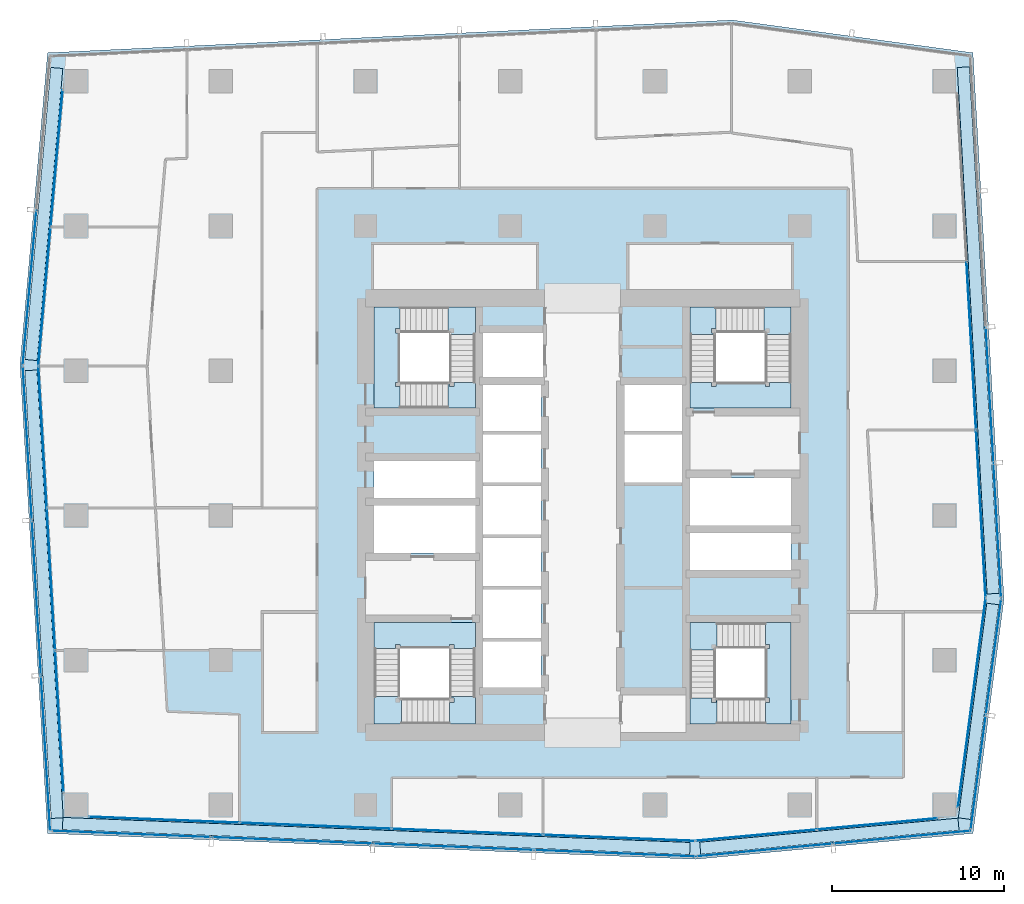
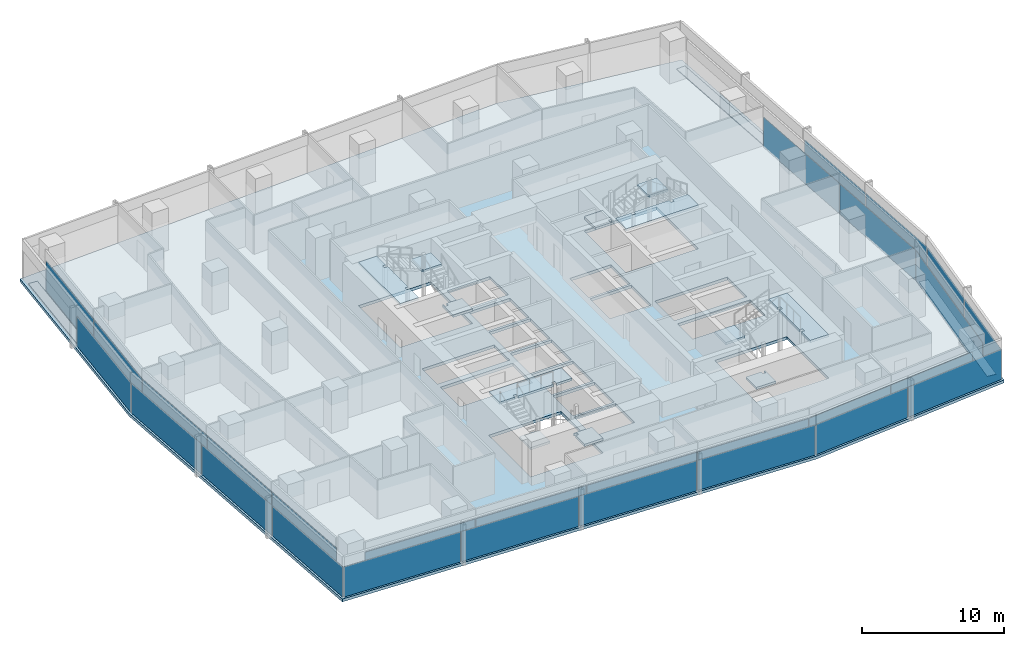
# One storey, part 26 of 39: 34 plates, 13 slabs, 16 elements without a shape of their own.
"""IFC4 building model written with IfcOpenShell, lengths in metres."""

import ifcopenshell
import ifcopenshell.guid

model = None  # the IFC model being written
_history = None  # IfcOwnerHistory: only IFC2X3 demands one
_inside = {}  # id of a spatial element -> (the spatial element, [elements in it])
_under = {}  # id of a project, library or spatial element -> (it, [spatial elements below it])
_declared = {}  # id of a project -> (the project, [libraries it declares])
_typed = {}  # id of a type object -> (the type object, [elements of that type])
_made_of = {}  # id of a material, layer set ... -> (it, [elements and type objects made of it])


def new_model(schema):
    """Start an empty IFC model of exactly this schema.

    Asked for "IFC4X3", IfcOpenShell would pick the latest addendum, in which some entities
    have other attributes; the version numbers below select the first issue.
    IFC2X3 requires an IfcOwnerHistory on every rooted entity: one is made here for all.
    """
    global model, _history
    if schema == "IFC4X3":
        model = ifcopenshell.file(schema_version=(4, 3, 0, 0))
    else:
        model = ifcopenshell.file(schema=schema)
    _inside.clear()
    _under.clear()
    _declared.clear()
    _typed.clear()
    _made_of.clear()
    _history = None
    if model.schema == "IFC2X3":
        org = make("IfcOrganization", Name="unknown")
        user = make(
            "IfcPersonAndOrganization",
            ThePerson=make("IfcPerson", FamilyName="unknown"),
            TheOrganization=org,
        )
        app = make(
            "IfcApplication",
            ApplicationDeveloper=org,
            Version="unknown",
            ApplicationFullName="unknown",
            ApplicationIdentifier="unknown",
        )
        _history = make(
            "IfcOwnerHistory",
            OwningUser=user,
            OwningApplication=app,
            ChangeAction="ADDED",
            CreationDate=0,
        )
    return model


def make(cls, **values):
    """One entity of the class cls with the attributes given. An attribute that is None is left unset."""
    return model.create_entity(
        cls, **{name: value for name, value in values.items() if value is not None}
    )


def rooted(cls, **values):
    """An entity with a GlobalId (a new one), such as an element, a storey or a relation."""
    return make(cls, GlobalId=ifcopenshell.guid.new(), OwnerHistory=_history, **values)


def si_unit(unit_type, name, prefix=None):
    """IfcSIUnit, for example si_unit("LENGTHUNIT", "METRE", prefix="MILLI")."""
    return make("IfcSIUnit", UnitType=unit_type, Prefix=prefix, Name=name)


def assignment(units):
    """IfcUnitAssignment: the units of a project."""
    return None if units is None else make("IfcUnitAssignment", Units=units)


def point(xyz):
    """IfcCartesianPoint."""
    return None if xyz is None else make("IfcCartesianPoint", Coordinates=xyz)


def direction(xyz):
    """IfcDirection."""
    return None if xyz is None else make("IfcDirection", DirectionRatios=xyz)


def frame(location, z_axis=None, x_axis=None):
    """IfcAxis2Placement3D, a coordinate frame: its origin and axes. An axis left out is left unset."""
    return make(
        "IfcAxis2Placement3D",
        Location=point(location),
        Axis=direction(z_axis),
        RefDirection=direction(x_axis),
    )


def frame_2d(location, x_axis=None):
    """IfcAxis2Placement2D, a coordinate frame in the plane: its origin and x axis."""
    return make(
        "IfcAxis2Placement2D", Location=point(location), RefDirection=direction(x_axis)
    )


def origin():
    """The frame at (0, 0, 0) with its axes left unset."""
    return frame((0.0, 0.0, 0.0))


def origin_2d():
    """The frame at (0, 0) in the plane with its x axis left unset."""
    return frame_2d((0.0, 0.0))


def place(relative_to, where):
    """IfcLocalPlacement: puts the frame where relative to a parent placement (None: the world)."""
    return make(
        "IfcLocalPlacement", PlacementRelTo=relative_to, RelativePlacement=where
    )


def context(
    kind, dimensions, precision=None, world=None, true_north=None, identifier=None
):
    """IfcGeometricRepresentationContext, for example the 3D "Model" context."""
    return make(
        "IfcGeometricRepresentationContext",
        ContextIdentifier=identifier,
        ContextType=kind,
        CoordinateSpaceDimension=dimensions,
        Precision=precision,
        WorldCoordinateSystem=world,
        TrueNorth=true_north,
    )


def subcontext(parent, identifier, kind, view, scale=None):
    """IfcGeometricRepresentationSubContext, for example "Body" below "Model"."""
    return make(
        "IfcGeometricRepresentationSubContext",
        ContextIdentifier=identifier,
        ContextType=kind,
        ParentContext=parent,
        TargetScale=scale,
        TargetView=view,
    )


def project(units=None, contexts=None):
    """IfcProject with its units and contexts."""
    return rooted(
        "IfcProject",
        Name="project",
        RepresentationContexts=contexts,
        UnitsInContext=assignment(units),
    )


def spatial(cls, under=None, at=None, **own):
    """A site, building, storey or space (cls), placed at a placement, below another one or the project."""
    s = rooted(cls, ObjectPlacement=at, **own)
    if under is not None:
        _under.setdefault(under.id(), (under, []))[1].append(s)
    return s


def polyline(points):
    """IfcPolyline through the points."""
    return make("IfcPolyline", Points=[point(p) for p in points])


def profile(cls, at=None, kind="AREA", **sizes):
    """A parametric profile (cls). Its sizes go by their IFC names, for example OverallWidth=200.0."""
    return make(cls, ProfileType=kind, Position=at, **sizes)


def rectangle(**sizes):
    """IfcRectangleProfileDef."""
    return profile("IfcRectangleProfileDef", **sizes)


def outline(outer, holes=None, kind="AREA"):
    """IfcArbitraryClosedProfileDef: a profile drawn as a closed curve; with holes, ...WithVoids."""
    if holes is None:
        return make("IfcArbitraryClosedProfileDef", ProfileType=kind, OuterCurve=outer)
    return make(
        "IfcArbitraryProfileDefWithVoids",
        ProfileType=kind,
        OuterCurve=outer,
        InnerCurves=holes,
    )


def extrude(swept, where, along, depth):
    """IfcExtrudedAreaSolid: the profile swept, set in the frame where, extruded along a direction by depth."""
    return make(
        "IfcExtrudedAreaSolid",
        SweptArea=swept,
        Position=where,
        ExtrudedDirection=direction(along),
        Depth=depth,
    )


def shape(context_of_items, identifier, shape_type, items):
    """IfcShapeRepresentation: the items that make up one representation, for example the "Body"."""
    return make(
        "IfcShapeRepresentation",
        ContextOfItems=context_of_items,
        RepresentationIdentifier=identifier,
        RepresentationType=shape_type,
        Items=items,
    )


def material(Name=None, Category=None):
    """IfcMaterial."""
    return make("IfcMaterial", Name=Name, Category=Category)


def layer(
    of_material, thickness, ventilated=None, Name=None, Category=None, Priority=None
):
    """IfcMaterialLayer: one layer of a wall or slab, of a material (None: an air gap)."""
    return make(
        "IfcMaterialLayer",
        Material=of_material,
        LayerThickness=thickness,
        IsVentilated=ventilated,
        Name=Name,
        Category=Category,
        Priority=Priority,
    )


def layer_set(layers, Name=None):
    """IfcMaterialLayerSet."""
    return make("IfcMaterialLayerSet", MaterialLayers=layers, LayerSetName=Name)


def made_of(thing, what):
    """Note that an element or type object is made of a material, layer set ...; save() writes the relation."""
    if what is not None:
        _made_of.setdefault(what.id(), (what, []))[1].append(thing)
    return thing


def type_object(cls, material=None, **own):
    """A type object (cls), such as IfcWallType, which elements share."""
    return made_of(rooted(cls, **own), material)


def element(
    cls,
    number,
    at=None,
    inside=None,
    cuts=None,
    type_object=None,
    material=None,
    context=None,
    identifier="Body",
    shape_type=None,
    held_by="IfcProductDefinitionShape",
    body=None,
    shapes=None,
    **own,
):
    """One element of the class cls, such as IfcWall. Its Tag is "e" and its number.

    at: its placement. inside: the storey or other place that contains it. cuts: it is an
    opening in that element (IfcRelVoidsElement). A single representation is given by context,
    identifier, shape_type and body (its items); several are given by shapes. held_by: the class
    of the entity that holds the representations. save() writes the other relations.
    """
    e = rooted(cls, Tag="e%d" % number, ObjectPlacement=at, **own)
    if body is not None:
        shapes = [shape(context, identifier, shape_type, body)]
    if shapes is not None:
        e.Representation = make(held_by, Representations=shapes)
    if inside is not None:
        _inside.setdefault(inside.id(), (inside, []))[1].append(e)
    if cuts is not None:
        rooted(
            "IfcRelVoidsElement", RelatingBuildingElement=cuts, RelatedOpeningElement=e
        )
    if type_object is not None:
        _typed.setdefault(type_object.id(), (type_object, []))[1].append(e)
    return made_of(e, material)


def aggregate(whole, parts):
    """IfcRelAggregates: a whole, such as a stair, and the parts it consists of."""
    return rooted("IfcRelAggregates", RelatingObject=whole, RelatedObjects=parts)


def save(model, path):
    """Write the relations noted so far, then the file.

    IfcRelAggregates (storeys below a building ...), IfcRelContainedInSpatialStructure (elements
    in a storey), IfcRelDefinesByType, IfcRelAssociatesMaterial and IfcRelDeclares: one each for
    every whole, place, type object, material and project.
    """
    for whole, parts in _under.values():
        aggregate(whole, parts)
    for where, things in _inside.values():
        rooted(
            "IfcRelContainedInSpatialStructure",
            RelatedElements=things,
            RelatingStructure=where,
        )
    for kind, things in _typed.values():
        rooted("IfcRelDefinesByType", RelatedObjects=things, RelatingType=kind)
    for what, things in _made_of.values():
        rooted("IfcRelAssociatesMaterial", RelatedObjects=things, RelatingMaterial=what)
    for by, libraries in _declared.values():
        rooted("IfcRelDeclares", RelatingContext=by, RelatedDefinitions=libraries)
    model.write(path)


model = new_model("IFC4")

# Units and contexts
model_context = context("Model", 3, precision=1e-05, world=origin(), true_north=direction((0.0, 1.0)))
body_context = subcontext(model_context, "Body", "Model", "MODEL_VIEW")
ifc_project = project(units=[si_unit("LENGTHUNIT", "METRE"), si_unit("AREAUNIT", "SQUARE_METRE"), si_unit("VOLUMEUNIT", "CUBIC_METRE"), si_unit("PLANEANGLEUNIT", "RADIAN"), si_unit("MASSUNIT", "GRAM", prefix="KILO")], contexts=[model_context])

# Site, building, storey
site_placement = place(None, origin())
site = spatial("IfcSite", under=ifc_project, at=site_placement, CompositionType="ELEMENT")
building_placement = place(site_placement, origin())
building = spatial("IfcBuilding", under=site, at=building_placement, Name="Rekha Terrace Tower", CompositionType="ELEMENT")
storey_placement = place(building_placement, frame((0.0, 0.0, 225.199951171875)))
storey = spatial("IfcBuildingStorey", under=building, at=storey_placement, Name="L57", CompositionType="ELEMENT", Elevation=225.199951171875)

# Curtain wall, plates
ifc_material_1 = material(Name="Aluminium framing", Category="aluminium")
curtain_wall_type_1 = type_object("IfcCurtainWallType", Name="CW1 double skin inner glazing", PredefinedType="USERDEFINED", material=ifc_material_1)
curtain_wall_1_placement = place(storey_placement, origin())
curtain_wall_1 = element("IfcCurtainWall", 1, at=curtain_wall_1_placement, inside=storey, type_object=curtain_wall_type_1, Name="CW1 double skin inner glazing", ObjectType="DOUBLE SKIN INNER GLAZING", PredefinedType="USERDEFINED")
ifc_material_2 = material(Name="Double-glazed low-e unit 32", Category="glass")
ifc_layer_1 = layer(ifc_material_2, 0.031982421875)
ifc_layer_set_1 = layer_set([ifc_layer_1], Name="Double-glazed low-e unit 32")
plate_type_1 = type_object("IfcPlateType", Name="CW1 jumbo vision panel, double-glazed low-e unit 32", PredefinedType="CURTAIN_PANEL", material=ifc_layer_set_1)
plate_1_placement = place(storey_placement, frame((13.51318359375, 15.94091796875, 0.0), z_axis=(0.0, 0.0, 1.0), x_axis=(0.999204775798, -0.039872497061, 0.0)))
plate_1 = element("IfcPlate", 2, at=plate_1_placement, type_object=plate_type_1, Name="CW1 panel 1.1", PredefinedType="CURTAIN_PANEL", context=body_context, shape_type="SweptSolid", body=[
    extrude(rectangle(XDim=8.7138671875, YDim=0.031982421875, at=origin_2d()), origin(), (0.0, 0.0, 1.0), 2.60009765625),
])
plate_2_placement = place(storey_placement, frame((22.301025390625, 15.59033203125, 0.0), z_axis=(0.0, 0.0, 1.0), x_axis=(0.999204775798, -0.039872497061, 0.0)))
plate_2 = element("IfcPlate", 3, at=plate_2_placement, type_object=plate_type_1, Name="CW1 panel 2.1", PredefinedType="CURTAIN_PANEL", context=body_context, shape_type="SweptSolid", body=[
    extrude(rectangle(XDim=8.746337890625, YDim=0.031982421875, at=origin_2d()), origin(), (0.0, 0.0, 1.0), 2.60009765625),
])
plate_3_placement = place(storey_placement, frame((31.10546875, 15.239013671875, 0.0), z_axis=(0.0, 0.0, 1.0), x_axis=(0.999204775798, -0.039872497061, 0.0)))
plate_3 = element("IfcPlate", 4, at=plate_3_placement, type_object=plate_type_1, Name="CW1 panel 3.1", PredefinedType="CURTAIN_PANEL", context=body_context, shape_type="SweptSolid", body=[
    extrude(rectangle(XDim=8.746337890625, YDim=0.031982421875, at=origin_2d()), origin(), (0.0, 0.0, 1.0), 2.60009765625),
])
plate_4_placement = place(storey_placement, frame((39.926025390625, 14.886962890625, 0.0), z_axis=(0.0, 0.0, 1.0), x_axis=(0.999204775798, -0.039872497061, 0.0)))
plate_4 = element("IfcPlate", 5, at=plate_4_placement, type_object=plate_type_1, Name="CW1 panel 4.1", PredefinedType="CURTAIN_PANEL", context=body_context, shape_type="SweptSolid", body=[
    extrude(rectangle(XDim=8.77880859375, YDim=0.031982421875, at=origin_2d()), origin(), (0.0, 0.0, 1.0), 2.60009765625),
])
aggregate(curtain_wall_1, [plate_1, plate_2, plate_3, plate_4])

curtain_wall_2_placement = place(storey_placement, origin())
curtain_wall_2 = element("IfcCurtainWall", 6, at=curtain_wall_2_placement, inside=storey, type_object=curtain_wall_type_1, Name="CW1 double skin inner glazing", ObjectType="DOUBLE SKIN INNER GLAZING", PredefinedType="USERDEFINED")
plate_5_placement = place(storey_placement, frame((47.863037109375, 15.042724609375, 0.0), z_axis=(0.0, 0.0, 1.0), x_axis=(0.995693258742, 0.092708869564, 0.0)))
plate_5 = element("IfcPlate", 7, at=plate_5_placement, type_object=plate_type_1, Name="CW1 panel 1.1", PredefinedType="CURTAIN_PANEL", context=body_context, shape_type="SweptSolid", body=[
    extrude(rectangle(XDim=7.003173828125, YDim=0.031982421875, at=origin_2d()), origin(), (0.0, 0.0, 1.0), 2.60009765625),
])
plate_6_placement = place(storey_placement, frame((54.90087890625, 15.697998046875, 0.0), z_axis=(0.0, 0.0, 1.0), x_axis=(0.995693258742, 0.092708869564, 0.0)))
plate_6 = element("IfcPlate", 8, at=plate_6_placement, type_object=plate_type_1, Name="CW1 panel 2.1", PredefinedType="CURTAIN_PANEL", context=body_context, shape_type="SweptSolid", body=[
    extrude(rectangle(XDim=7.003173828125, YDim=0.031982421875, at=origin_2d()), origin(), (0.0, 0.0, 1.0), 2.60009765625),
])
aggregate(curtain_wall_2, [plate_5, plate_6])

# Curtain wall, plate
curtain_wall_3_placement = place(storey_placement, origin())
curtain_wall_3 = element("IfcCurtainWall", 9, at=curtain_wall_3_placement, inside=storey, type_object=curtain_wall_type_1, Name="CW1 double skin inner glazing", ObjectType="DOUBLE SKIN INNER GLAZING", PredefinedType="USERDEFINED")
plate_7_placement = place(storey_placement, frame((60.38330078125, 22.718505859375, 0.0), z_axis=(0.0, 0.0, 1.0), x_axis=(0.131303603093, 0.991342203185, 0.0)))
plate_7 = element("IfcPlate", 10, at=plate_7_placement, type_object=plate_type_1, Name="CW1 panel 1.1", PredefinedType="CURTAIN_PANEL", context=body_context, shape_type="SweptSolid", body=[
    extrude(rectangle(XDim=12.228759765625, YDim=0.031982421875, at=origin_2d()), origin(), (0.0, 0.0, 1.0), 2.60009765625),
])
aggregate(curtain_wall_3, [plate_7])

# Curtain wall, plates
curtain_wall_4_placement = place(storey_placement, origin())
curtain_wall_4 = element("IfcCurtainWall", 11, at=curtain_wall_4_placement, inside=storey, type_object=curtain_wall_type_1, Name="CW1 double skin inner glazing", ObjectType="DOUBLE SKIN INNER GLAZING", PredefinedType="USERDEFINED")
plate_8_placement = place(storey_placement, frame((60.90771484375, 33.68408203125, 0.0), z_axis=(0.0, 0.0, 1.0), x_axis=(-0.05667319486, 0.998392782919, 0.0)))
plate_8 = element("IfcPlate", 12, at=plate_8_placement, type_object=plate_type_1, Name="CW1 panel 1.1", PredefinedType="CURTAIN_PANEL", context=body_context, shape_type="SweptSolid", body=[
    extrude(rectangle(XDim=9.694091796875, YDim=0.031982421875, at=origin_2d()), origin(), (0.0, 0.0, 1.0), 2.60009765625),
])
plate_9_placement = place(storey_placement, frame((60.353759765625, 43.44384765625, 0.0), z_axis=(0.0, 0.0, 1.0), x_axis=(-0.05667319486, 0.998392782919, 0.0)))
plate_9 = element("IfcPlate", 13, at=plate_9_placement, type_object=plate_type_1, Name="CW1 panel 2.1", PredefinedType="CURTAIN_PANEL", context=body_context, shape_type="SweptSolid", body=[
    extrude(rectangle(XDim=9.7265625, YDim=0.031982421875, at=origin_2d()), origin(), (0.0, 0.0, 1.0), 2.60009765625),
])
aggregate(curtain_wall_4, [plate_8, plate_9])

curtain_wall_5_placement = place(storey_placement, origin())
curtain_wall_5 = element("IfcCurtainWall", 14, at=curtain_wall_5_placement, inside=storey, type_object=curtain_wall_type_1, Name="CW1 double skin inner glazing", ObjectType="DOUBLE SKIN INNER GLAZING", PredefinedType="USERDEFINED")
plate_10_placement = place(storey_placement, frame((7.273193359375, 54.32421875, 0.0), z_axis=(0.0, 0.0, 1.0), x_axis=(-0.087957985523, -0.996124185422, 0.0)))
plate_10 = element("IfcPlate", 15, at=plate_10_placement, type_object=plate_type_1, Name="CW1 panel 1.1", PredefinedType="CURTAIN_PANEL", context=body_context, shape_type="SweptSolid", body=[
    extrude(rectangle(XDim=7.950927734375, YDim=0.031982421875, at=origin_2d()), origin(), (0.0, 0.0, 1.0), 2.60009765625),
])
plate_11_placement = place(storey_placement, frame((6.565185546875, 46.306884765625, 0.0), z_axis=(0.0, 0.0, 1.0), x_axis=(-0.087957985523, -0.996124185422, 0.0)))
plate_11 = element("IfcPlate", 16, at=plate_11_placement, type_object=plate_type_1, Name="CW1 panel 2.1", PredefinedType="CURTAIN_PANEL", context=body_context, shape_type="SweptSolid", body=[
    extrude(rectangle(XDim=8.01611328125, YDim=0.031982421875, at=origin_2d()), origin(), (0.0, 0.0, 1.0), 2.60009765625),
])
aggregate(curtain_wall_5, [plate_10, plate_11])

curtain_wall_6_placement = place(storey_placement, origin())
curtain_wall_6 = element("IfcCurtainWall", 17, at=curtain_wall_6_placement, inside=storey, type_object=curtain_wall_type_1, Name="CW1 double skin inner glazing", ObjectType="DOUBLE SKIN INNER GLAZING", PredefinedType="USERDEFINED")
plate_12_placement = place(storey_placement, frame((6.457275390625, 38.1611328125, 0.0), z_axis=(0.0, 0.0, 1.0), x_axis=(0.058765082516, -0.998271839269, 0.0)))
plate_12 = element("IfcPlate", 18, at=plate_12_placement, type_object=plate_type_1, Name="CW1 panel 1.1", PredefinedType="CURTAIN_PANEL", context=body_context, shape_type="SweptSolid", body=[
    extrude(rectangle(XDim=8.19091796875, YDim=0.031982421875, at=origin_2d()), origin(), (0.0, 0.0, 1.0), 2.60009765625),
])
plate_13_placement = place(storey_placement, frame((6.943359375, 29.9033203125, 0.0), z_axis=(0.0, 0.0, 1.0), x_axis=(0.058765082516, -0.998271839269, 0.0)))
plate_13 = element("IfcPlate", 19, at=plate_13_placement, type_object=plate_type_1, Name="CW1 panel 2.1", PredefinedType="CURTAIN_PANEL", context=body_context, shape_type="SweptSolid", body=[
    extrude(rectangle(XDim=8.223388671875, YDim=0.031982421875, at=origin_2d()), origin(), (0.0, 0.0, 1.0), 2.60009765625),
])
plate_14_placement = place(storey_placement, frame((7.429443359375, 21.645263671875, 0.0), z_axis=(0.0, 0.0, 1.0), x_axis=(0.058765082516, -0.998271839269, 0.0)))
plate_14 = element("IfcPlate", 20, at=plate_14_placement, type_object=plate_type_1, Name="CW1 panel 3.1", PredefinedType="CURTAIN_PANEL", context=body_context, shape_type="SweptSolid", body=[
    extrude(rectangle(XDim=8.19091796875, YDim=0.031982421875, at=origin_2d()), origin(), (0.0, 0.0, 1.0), 2.60009765625),
])
aggregate(curtain_wall_6, [plate_12, plate_13, plate_14])

curtain_wall_type_2 = type_object("IfcCurtainWallType", Name="CW2 double skin outer glazing", PredefinedType="USERDEFINED", material=ifc_material_1)
curtain_wall_7_placement = place(storey_placement, origin())
curtain_wall_7 = element("IfcCurtainWall", 21, at=curtain_wall_7_placement, inside=storey, type_object=curtain_wall_type_2, Name="CW2 double skin outer glazing", ObjectType="DOUBLE SKIN OUTER GLAZING", PredefinedType="USERDEFINED")
ifc_material_3 = material(Name="Toughened single glazing 12", Category="glass")
ifc_layer_2 = layer(ifc_material_3, 0.011962890625)
ifc_layer_set_2 = layer_set([ifc_layer_2], Name="Toughened single glazing 12")
plate_type_2 = type_object("IfcPlateType", Name="CW2 jumbo vision panel, toughened single glazing 12", PredefinedType="CURTAIN_PANEL", material=ifc_layer_set_2)
plate_15_placement = place(storey_placement, frame((11.6005859375, 15.116455078125, 0.0), z_axis=(0.0, 0.0, 1.0), x_axis=(0.999204775799, -0.039872497044, 0.0)))
plate_15 = element("IfcPlate", 22, at=plate_15_placement, type_object=plate_type_2, Name="CW2 panel 1.1", PredefinedType="CURTAIN_PANEL", context=body_context, shape_type="SweptSolid", body=[
    extrude(rectangle(XDim=9.24609375, YDim=0.011962890625, at=origin_2d()), origin(), (0.0, 0.0, 1.0), 2.60009765625),
])
plate_16_placement = place(storey_placement, frame((20.939208984375, 14.743896484375, 0.0), z_axis=(0.0, 0.0, 1.0), x_axis=(0.999204775799, -0.039872497044, 0.0)))
plate_16 = element("IfcPlate", 23, at=plate_16_placement, type_object=plate_type_2, Name="CW2 panel 2.1", PredefinedType="CURTAIN_PANEL", context=body_context, shape_type="SweptSolid", body=[
    extrude(rectangle(XDim=9.2861328125, YDim=0.011962890625, at=origin_2d()), origin(), (0.0, 0.0, 1.0), 2.60009765625),
])
plate_17_placement = place(storey_placement, frame((30.2978515625, 14.370361328125, 0.0), z_axis=(0.0, 0.0, 1.0), x_axis=(0.999204775799, -0.039872497044, 0.0)))
plate_17 = element("IfcPlate", 24, at=plate_17_placement, type_object=plate_type_2, Name="CW2 panel 3.1", PredefinedType="CURTAIN_PANEL", context=body_context, shape_type="SweptSolid", body=[
    extrude(rectangle(XDim=9.2861328125, YDim=0.011962890625, at=origin_2d()), origin(), (0.0, 0.0, 1.0), 2.60009765625),
])
plate_18_placement = place(storey_placement, frame((39.676513671875, 13.996337890625, 0.0), z_axis=(0.0, 0.0, 1.0), x_axis=(0.999204775799, -0.039872497044, 0.0)))
plate_18 = element("IfcPlate", 25, at=plate_18_placement, type_object=plate_type_2, Name="CW2 panel 4.1", PredefinedType="CURTAIN_PANEL", context=body_context, shape_type="SweptSolid", body=[
    extrude(rectangle(XDim=9.326171875, YDim=0.011962890625, at=origin_2d()), origin(), (0.0, 0.0, 1.0), 2.60009765625),
])
aggregate(curtain_wall_7, [plate_15, plate_16, plate_17, plate_18])

curtain_wall_8_placement = place(storey_placement, origin())
curtain_wall_8 = element("IfcCurtainWall", 26, at=curtain_wall_8_placement, inside=storey, type_object=curtain_wall_type_2, Name="CW2 double skin outer glazing", ObjectType="DOUBLE SKIN OUTER GLAZING", PredefinedType="USERDEFINED")
plate_19_placement = place(storey_placement, frame((48.348876953125, 14.183837890625, 0.0), z_axis=(0.0, 0.0, 1.0), x_axis=(0.995693258747, 0.092708869512, 0.0)))
plate_19 = element("IfcPlate", 27, at=plate_19_placement, type_object=plate_type_2, Name="CW2 panel 1.1", PredefinedType="CURTAIN_PANEL", context=body_context, shape_type="SweptSolid", body=[
    extrude(rectangle(XDim=7.900634765625, YDim=0.011962890625, at=origin_2d()), origin(), (0.0, 0.0, 1.0), 2.60009765625),
])
plate_20_placement = place(storey_placement, frame((56.3349609375, 14.927490234375, 0.0), z_axis=(0.0, 0.0, 1.0), x_axis=(0.995693258747, 0.092708869512, 0.0)))
plate_20 = element("IfcPlate", 28, at=plate_20_placement, type_object=plate_type_2, Name="CW2 panel 2.1", PredefinedType="CURTAIN_PANEL", context=body_context, shape_type="SweptSolid", body=[
    extrude(rectangle(XDim=7.980712890625, YDim=0.011962890625, at=origin_2d()), origin(), (0.0, 0.0, 1.0), 2.60009765625),
])
aggregate(curtain_wall_8, [plate_19, plate_20])

curtain_wall_9_placement = place(storey_placement, origin())
curtain_wall_9 = element("IfcCurtainWall", 29, at=curtain_wall_9_placement, inside=storey, type_object=curtain_wall_type_2, Name="CW2 double skin outer glazing", ObjectType="DOUBLE SKIN OUTER GLAZING", PredefinedType="USERDEFINED")
plate_21_placement = place(storey_placement, frame((60.756103515625, 18.679443359375, 0.0), z_axis=(0.0, 0.0, 1.0), x_axis=(0.131303603075, 0.991342203187, 0.0)))
plate_21 = element("IfcPlate", 30, at=plate_21_placement, type_object=plate_type_2, Name="CW2 panel 1.1", PredefinedType="CURTAIN_PANEL", context=body_context, shape_type="SweptSolid", body=[
    extrude(rectangle(XDim=6.6630859375, YDim=0.011962890625, at=origin_2d()), origin(), (0.0, 0.0, 1.0), 2.60009765625),
])
plate_22_placement = place(storey_placement, frame((61.646728515625, 25.40380859375, 0.0), z_axis=(0.0, 0.0, 1.0), x_axis=(0.131303603075, 0.991342203187, 0.0)))
plate_22 = element("IfcPlate", 31, at=plate_22_placement, type_object=plate_type_2, Name="CW2 panel 2.1", PredefinedType="CURTAIN_PANEL", context=body_context, shape_type="SweptSolid", body=[
    extrude(rectangle(XDim=6.742919921875, YDim=0.011962890625, at=origin_2d()), origin(), (0.0, 0.0, 1.0), 2.60009765625),
])
aggregate(curtain_wall_9, [plate_21, plate_22])

curtain_wall_10_placement = place(storey_placement, origin())
curtain_wall_10 = element("IfcCurtainWall", 32, at=curtain_wall_10_placement, inside=storey, type_object=curtain_wall_type_2, Name="CW2 double skin outer glazing", ObjectType="DOUBLE SKIN OUTER GLAZING", PredefinedType="USERDEFINED")
plate_23_placement = place(storey_placement, frame((61.8642578125, 32.71142578125, 0.0), z_axis=(0.0, 0.0, 1.0), x_axis=(-0.05667319486, 0.998392782919, 0.0)))
plate_23 = element("IfcPlate", 33, at=plate_23_placement, type_object=plate_type_2, Name="CW2 panel 1.1", PredefinedType="CURTAIN_PANEL", context=body_context, shape_type="SweptSolid", body=[
    extrude(rectangle(XDim=7.783447265625, YDim=0.011962890625, at=origin_2d()), origin(), (0.0, 0.0, 1.0), 2.60009765625),
])
plate_24_placement = place(storey_placement, frame((61.41748046875, 40.582275390625, 0.0), z_axis=(0.0, 0.0, 1.0), x_axis=(-0.05667319486, 0.998392782919, 0.0)))
plate_24 = element("IfcPlate", 34, at=plate_24_placement, type_object=plate_type_2, Name="CW2 panel 2.1", PredefinedType="CURTAIN_PANEL", context=body_context, shape_type="SweptSolid", body=[
    extrude(rectangle(XDim=7.823486328125, YDim=0.011962890625, at=origin_2d()), origin(), (0.0, 0.0, 1.0), 2.60009765625),
])
aggregate(curtain_wall_10, [plate_23, plate_24])

# Curtain wall, plate
curtain_wall_11_placement = place(storey_placement, origin())
curtain_wall_11 = element("IfcCurtainWall", 35, at=curtain_wall_11_placement, inside=storey, type_object=curtain_wall_type_2, Name="CW2 double skin outer glazing", ObjectType="DOUBLE SKIN OUTER GLAZING", PredefinedType="USERDEFINED")
plate_25_placement = place(storey_placement, frame((5.705322265625, 46.800048828125, 0.0), z_axis=(0.0, 0.0, 1.0), x_axis=(-0.087957985453, -0.996124185428, 0.0)))
plate_25 = element("IfcPlate", 36, at=plate_25_placement, type_object=plate_type_2, Name="CW2 panel 2.1", PredefinedType="CURTAIN_PANEL", context=body_context, shape_type="SweptSolid", body=[
    extrude(rectangle(XDim=8.9794921875, YDim=0.011962890625, at=origin_2d()), origin(), (0.0, 0.0, 1.0), 2.60009765625),
])
aggregate(curtain_wall_11, [plate_25])

# Curtain wall, plates
curtain_wall_12_placement = place(storey_placement, origin())
curtain_wall_12 = element("IfcCurtainWall", 37, at=curtain_wall_12_placement, inside=storey, type_object=curtain_wall_type_2, Name="CW2 double skin outer glazing", ObjectType="DOUBLE SKIN OUTER GLAZING", PredefinedType="USERDEFINED")
plate_26_placement = place(storey_placement, frame((5.57666015625, 37.8037109375, 0.0), z_axis=(0.0, 0.0, 1.0), x_axis=(0.058765082499, -0.99827183927, 0.0)))
plate_26 = element("IfcPlate", 38, at=plate_26_placement, type_object=plate_type_2, Name="CW2 panel 1.1", PredefinedType="CURTAIN_PANEL", context=body_context, shape_type="SweptSolid", body=[
    extrude(rectangle(XDim=8.903564453125, YDim=0.011962890625, at=origin_2d()), origin(), (0.0, 0.0, 1.0), 2.60009765625),
])
plate_27_placement = place(storey_placement, frame((6.105712890625, 28.81591796875, 0.0), z_axis=(0.0, 0.0, 1.0), x_axis=(0.058765082499, -0.99827183927, 0.0)))
plate_27 = element("IfcPlate", 39, at=plate_27_placement, type_object=plate_type_2, Name="CW2 panel 2.1", PredefinedType="CURTAIN_PANEL", context=body_context, shape_type="SweptSolid", body=[
    extrude(rectangle(XDim=8.943359375, YDim=0.011962890625, at=origin_2d()), origin(), (0.0, 0.0, 1.0), 2.60009765625),
])
plate_28_placement = place(storey_placement, frame((6.63720703125, 19.7880859375, 0.0), z_axis=(0.0, 0.0, 1.0), x_axis=(0.058765082499, -0.99827183927, 0.0)))
plate_28 = element("IfcPlate", 40, at=plate_28_placement, type_object=plate_type_2, Name="CW2 panel 3.1", PredefinedType="CURTAIN_PANEL", context=body_context, shape_type="SweptSolid", body=[
    extrude(rectangle(XDim=8.9833984375, YDim=0.011962890625, at=origin_2d()), origin(), (0.0, 0.0, 1.0), 2.60009765625),
])
aggregate(curtain_wall_12, [plate_26, plate_27, plate_28])

# Plates
ifc_material_4 = material(Name="Galvanised steel open grating", Category="steel")
ifc_layer_3 = layer(ifc_material_4, 0.050048828125)
ifc_layer_set_3 = layer_set([ifc_layer_3], Name="Galvanised steel open grating")
plate_type_3 = type_object("IfcPlateType", Name="GT1 cavity walkway grating 50", PredefinedType="USERDEFINED", material=ifc_layer_set_3)
plate_29_placement = place(storey_placement, frame((25.8251953125, 14.999267578125, 0.0), z_axis=(0.0, 0.0, 1.0), x_axis=(0.999204775799, -0.039872497044, 0.0)))
element("IfcPlate", 41, at=plate_29_placement, inside=storey, type_object=plate_type_3, Name="Cavity walkway grating", ObjectType="CAVITY WALKWAY GRATING", PredefinedType="USERDEFINED", context=body_context, shape_type="SweptSolid", body=[
    extrude(rectangle(XDim=36.4267578125, YDim=0.705078125, at=origin_2d()), origin(), (0.0, 0.0, 1.0), 0.050048828125),
])
plate_30_placement = place(storey_placement, frame((52.116455078125, 14.98681640625, 0.0), z_axis=(0.0, 0.0, 1.0), x_axis=(0.995693258745, 0.092708869529, 0.0)))
element("IfcPlate", 42, at=plate_30_placement, inside=storey, type_object=plate_type_3, Name="Cavity walkway grating", ObjectType="CAVITY WALKWAY GRATING", PredefinedType="USERDEFINED", context=body_context, shape_type="SweptSolid", body=[
    extrude(rectangle(XDim=15.052734375, YDim=0.705078125, at=origin_2d()), origin(), (0.0, 0.0, 1.0), 0.050048828125),
])
plate_31_placement = place(storey_placement, frame((60.7734375, 22.237548828125, 0.0), z_axis=(0.0, 0.0, 1.0), x_axis=(0.131303603075, 0.991342203187, 0.0)))
element("IfcPlate", 43, at=plate_31_placement, inside=storey, type_object=plate_type_3, Name="Cavity walkway grating", ObjectType="CAVITY WALKWAY GRATING", PredefinedType="USERDEFINED", context=body_context, shape_type="SweptSolid", body=[
    extrude(rectangle(XDim=12.564697265625, YDim=0.705078125, at=origin_2d()), origin(), (0.0, 0.0, 1.0), 0.050048828125),
])
plate_32_placement = place(storey_placement, frame((60.753662109375, 44.338134765625, 0.0), z_axis=(0.0, 0.0, 1.0), x_axis=(-0.05667319486, 0.998392782919, 0.0)))
element("IfcPlate", 44, at=plate_32_placement, inside=storey, type_object=plate_type_3, Name="Cavity walkway grating", ObjectType="CAVITY WALKWAY GRATING", PredefinedType="USERDEFINED", context=body_context, shape_type="SweptSolid", body=[
    extrude(rectangle(XDim=30.6005859375, YDim=0.705078125, at=origin_2d()), origin(), (0.0, 0.0, 1.0), 0.050048828125),
])
plate_33_placement = place(storey_placement, frame((6.5361328125, 51.093505859375, 0.0), z_axis=(0.0, 0.0, 1.0), x_axis=(-0.087957985471, -0.996124185427, 0.0)))
element("IfcPlate", 45, at=plate_33_placement, inside=storey, type_object=plate_type_3, Name="Cavity walkway grating", ObjectType="CAVITY WALKWAY GRATING", PredefinedType="USERDEFINED", context=body_context, shape_type="SweptSolid", body=[
    extrude(rectangle(XDim=17.013427734375, YDim=0.705078125, at=origin_2d()), origin(), (0.0, 0.0, 1.0), 0.050048828125),
])
plate_34_placement = place(storey_placement, frame((6.5439453125, 29.029296875, 0.0), z_axis=(0.0, 0.0, 1.0), x_axis=(0.058765082516, -0.998271839269, 0.0)))
element("IfcPlate", 46, at=plate_34_placement, inside=storey, type_object=plate_type_3, Name="Cavity walkway grating", ObjectType="CAVITY WALKWAY GRATING", PredefinedType="USERDEFINED", context=body_context, shape_type="SweptSolid", body=[
    extrude(rectangle(XDim=26.029541015625, YDim=0.705078125, at=origin_2d()), origin(), (0.0, 0.0, 1.0), 0.050048828125),
])

# Stair, slabs
ifc_material_5 = material(Name="Concrete M40", Category="concrete")
stair_type = type_object("IfcStairType", Name="ST30 stair, 30 risers of 125, going 310, 1500 wide flights, 3 flights", PredefinedType="HALF_TURN_STAIR", material=ifc_material_5)
stair_1_placement = place(storey_placement, origin())
stair_1 = element("IfcStair", 47, at=stair_1_placement, inside=storey, type_object=stair_type, Name="Stair ST1 L57 to L58", PredefinedType="HALF_TURN_STAIR")
ifc_layer_4 = layer(ifc_material_5, 0.199951171875)
ifc_layer_set_4 = layer_set([ifc_layer_4], Name="Concrete M40")
slab_type_1 = type_object("IfcSlabType", Name="LD1 200 concrete stair landing", PredefinedType="LANDING", material=ifc_layer_set_4)
slab_1_placement = place(storey_placement, frame((0.0, 0.0, 1.050048828125)))
slab_1 = element("IfcSlab", 48, at=slab_1_placement, type_object=slab_type_1, Name="ST1 landing 1", PredefinedType="LANDING", context=body_context, shape_type="SweptSolid", body=[
    extrude(outline(polyline([(30.074951171875, 21.5), (31.574951171875, 21.5), (31.574951171875, 23.0849609375), (30.074951171875, 23.0849609375), (30.074951171875, 23.0), (30.324951171875, 23.0), (30.324951171875, 22.75), (30.074951171875, 22.75), (30.074951171875, 21.5)])), origin(), (0.0, 0.0, 1.0), 0.199951171875),
])
slab_2_placement = place(storey_placement, frame((0.0, 0.0, 2.300048828125)))
slab_2 = element("IfcSlab", 49, at=slab_2_placement, type_object=slab_type_1, Name="ST1 landing 2", PredefinedType="LANDING", context=body_context, shape_type="SweptSolid", body=[
    extrude(outline(polyline([(27.199951171875, 23.0849609375), (25.699951171875, 23.0849609375), (25.699951171875, 21.5), (27.284912109375, 21.5), (27.284912109375, 23.0), (27.199951171875, 23.0), (27.199951171875, 23.0849609375)])), origin(), (0.0, 0.0, 1.0), 0.199951171875),
])
slab_3_placement = place(storey_placement, frame((0.0, 0.0, 3.550048828125)))
slab_3 = element("IfcSlab", 50, at=slab_3_placement, type_object=slab_type_1, Name="ST1 landing 3", PredefinedType="LANDING", context=body_context, shape_type="SweptSolid", body=[
    extrude(outline(polyline([(31.574951171875, 25.875), (31.574951171875, 27.375), (25.699951171875, 27.375), (25.699951171875, 25.875), (26.949951171875, 25.875), (26.949951171875, 26.125), (27.199951171875, 26.125), (27.199951171875, 25.875), (30.074951171875, 25.875), (30.074951171875, 26.125), (30.324951171875, 26.125), (30.324951171875, 25.875), (31.574951171875, 25.875)])), origin(), (0.0, 0.0, 1.0), 0.199951171875),
])
aggregate(stair_1, [slab_1, slab_2, slab_3])

stair_2_placement = place(storey_placement, origin())
stair_2 = element("IfcStair", 51, at=stair_2_placement, inside=storey, type_object=stair_type, Name="Stair ST2 L57 to L58", PredefinedType="HALF_TURN_STAIR")
slab_4_placement = place(storey_placement, frame((0.0, 0.0, 1.050048828125)))
slab_4 = element("IfcSlab", 52, at=slab_4_placement, type_object=slab_type_1, Name="ST2 landing 1", PredefinedType="LANDING", context=body_context, shape_type="SweptSolid", body=[
    extrude(outline(polyline([(45.52490234375, 45.699951171875), (44.02490234375, 45.699951171875), (44.02490234375, 44.114990234375), (45.52490234375, 44.114990234375), (45.52490234375, 44.199951171875), (45.27490234375, 44.199951171875), (45.27490234375, 44.449951171875), (45.52490234375, 44.449951171875), (45.52490234375, 45.699951171875)])), origin(), (0.0, 0.0, 1.0), 0.199951171875),
])
slab_5_placement = place(storey_placement, frame((0.0, 0.0, 2.300048828125)))
slab_5 = element("IfcSlab", 53, at=slab_5_placement, type_object=slab_type_1, Name="ST2 landing 2", PredefinedType="LANDING", context=body_context, shape_type="SweptSolid", body=[
    extrude(outline(polyline([(48.39990234375, 44.114990234375), (49.89990234375, 44.114990234375), (49.89990234375, 45.699951171875), (48.31494140625, 45.699951171875), (48.31494140625, 44.199951171875), (48.39990234375, 44.199951171875), (48.39990234375, 44.114990234375)])), origin(), (0.0, 0.0, 1.0), 0.199951171875),
])
slab_6_placement = place(storey_placement, frame((0.0, 0.0, 3.550048828125)))
slab_6 = element("IfcSlab", 54, at=slab_6_placement, type_object=slab_type_1, Name="ST2 landing 3", PredefinedType="LANDING", context=body_context, shape_type="SweptSolid", body=[
    extrude(outline(polyline([(44.02490234375, 41.324951171875), (44.02490234375, 39.824951171875), (49.89990234375, 39.824951171875), (49.89990234375, 41.324951171875), (48.64990234375, 41.324951171875), (48.64990234375, 41.074951171875), (48.39990234375, 41.074951171875), (48.39990234375, 41.324951171875), (45.52490234375, 41.324951171875), (45.52490234375, 41.074951171875), (45.27490234375, 41.074951171875), (45.27490234375, 41.324951171875), (44.02490234375, 41.324951171875)])), origin(), (0.0, 0.0, 1.0), 0.199951171875),
])
aggregate(stair_2, [slab_4, slab_5, slab_6])

stair_3_placement = place(storey_placement, origin())
stair_3 = element("IfcStair", 55, at=stair_3_placement, inside=storey, type_object=stair_type, Name="Stair ST3 L57 to L58", PredefinedType="HALF_TURN_STAIR")
slab_7_placement = place(storey_placement, frame((0.0, 0.0, 1.050048828125)))
slab_7 = element("IfcSlab", 56, at=slab_7_placement, type_object=slab_type_1, Name="ST3 landing 1", PredefinedType="LANDING", context=body_context, shape_type="SweptSolid", body=[
    extrude(outline(polyline([(44.02490234375, 23.0), (44.02490234375, 21.5), (45.610107421875, 21.5), (45.610107421875, 23.0), (45.52490234375, 23.0), (45.52490234375, 22.75), (45.27490234375, 22.75), (45.27490234375, 23.0), (44.02490234375, 23.0)])), origin(), (0.0, 0.0, 1.0), 0.199951171875),
])
slab_8_placement = place(storey_placement, frame((0.0, 0.0, 2.300048828125)))
slab_8 = element("IfcSlab", 57, at=slab_8_placement, type_object=slab_type_1, Name="ST3 landing 2", PredefinedType="LANDING", context=body_context, shape_type="SweptSolid", body=[
    extrude(outline(polyline([(45.610107421875, 25.875), (45.610107421875, 27.375), (44.02490234375, 27.375), (44.02490234375, 25.7900390625), (45.52490234375, 25.7900390625), (45.52490234375, 25.875), (45.610107421875, 25.875)])), origin(), (0.0, 0.0, 1.0), 0.199951171875),
])
slab_9_placement = place(storey_placement, frame((0.0, 0.0, 3.550048828125)))
slab_9 = element("IfcSlab", 58, at=slab_9_placement, type_object=slab_type_1, Name="ST3 landing 3", PredefinedType="LANDING", context=body_context, shape_type="SweptSolid", body=[
    extrude(outline(polyline([(48.39990234375, 21.5), (49.89990234375, 21.5), (49.89990234375, 27.375), (48.39990234375, 27.375), (48.39990234375, 26.125), (48.64990234375, 26.125), (48.64990234375, 25.875), (48.39990234375, 25.875), (48.39990234375, 23.0), (48.64990234375, 23.0), (48.64990234375, 22.75), (48.39990234375, 22.75), (48.39990234375, 21.5)])), origin(), (0.0, 0.0, 1.0), 0.199951171875),
])
aggregate(stair_3, [slab_7, slab_8, slab_9])

stair_4_placement = place(storey_placement, origin())
stair_4 = element("IfcStair", 59, at=stair_4_placement, inside=storey, type_object=stair_type, Name="Stair ST4 L57 to L58", PredefinedType="HALF_TURN_STAIR")
slab_10_placement = place(storey_placement, frame((0.0, 0.0, 1.050048828125)))
slab_10 = element("IfcSlab", 60, at=slab_10_placement, type_object=slab_type_1, Name="ST4 landing 1", PredefinedType="LANDING", context=body_context, shape_type="SweptSolid", body=[
    extrude(outline(polyline([(31.574951171875, 41.324951171875), (31.574951171875, 39.824951171875), (29.989990234375, 39.824951171875), (29.989990234375, 41.324951171875), (30.074951171875, 41.324951171875), (30.074951171875, 41.074951171875), (30.324951171875, 41.074951171875), (30.324951171875, 41.324951171875), (31.574951171875, 41.324951171875)])), origin(), (0.0, 0.0, 1.0), 0.199951171875),
])
slab_11_placement = place(storey_placement, frame((0.0, 0.0, 2.300048828125)))
slab_11 = element("IfcSlab", 61, at=slab_11_placement, type_object=slab_type_1, Name="ST4 landing 2", PredefinedType="LANDING", context=body_context, shape_type="SweptSolid", body=[
    extrude(outline(polyline([(29.989990234375, 44.199951171875), (29.989990234375, 45.699951171875), (31.574951171875, 45.699951171875), (31.574951171875, 44.114990234375), (30.074951171875, 44.114990234375), (30.074951171875, 44.199951171875), (29.989990234375, 44.199951171875)])), origin(), (0.0, 0.0, 1.0), 0.199951171875),
])
slab_12_placement = place(storey_placement, frame((0.0, 0.0, 3.550048828125)))
slab_12 = element("IfcSlab", 62, at=slab_12_placement, type_object=slab_type_1, Name="ST4 landing 3", PredefinedType="LANDING", context=body_context, shape_type="SweptSolid", body=[
    extrude(outline(polyline([(27.199951171875, 39.824951171875), (25.699951171875, 39.824951171875), (25.699951171875, 45.699951171875), (27.199951171875, 45.699951171875), (27.199951171875, 44.449951171875), (26.949951171875, 44.449951171875), (26.949951171875, 44.199951171875), (27.199951171875, 44.199951171875), (27.199951171875, 41.324951171875), (26.949951171875, 41.324951171875), (26.949951171875, 41.074951171875), (27.199951171875, 41.074951171875), (27.199951171875, 39.824951171875)])), origin(), (0.0, 0.0, 1.0), 0.199951171875),
])
aggregate(stair_4, [slab_10, slab_11, slab_12])

# Slab
ifc_material_6 = material(Name="Concrete M50", Category="concrete")
ifc_layer_5 = layer(ifc_material_6, 0.25)
ifc_layer_set_5 = layer_set([ifc_layer_5], Name="Concrete M50")
slab_type_2 = type_object("IfcSlabType", Name="SL4 250 post-tensioned flat plate", PredefinedType="FLOOR", material=ifc_layer_set_5)
slab_13_placement = place(storey_placement, frame((0.0, 0.0, -0.25)))
element("IfcSlab", 63, at=slab_13_placement, inside=storey, type_object=slab_type_2, Name="Post-tensioned flat plate L57", PredefinedType="FLOOR", context=body_context, shape_type="SweptSolid", body=[
    extrude(outline(polyline([(5.14990234375, 42.330078125), (6.75, 15.14990234375), (44.340087890625, 13.64990234375), (60.449951171875, 15.14990234375), (62.25, 28.739990234375), (60.449951171875, 60.449951171875), (46.488037109375, 62.35009765625), (6.75, 60.449951171875), (5.14990234375, 42.330078125)]), holes=[polyline([(31.574951171875, 27.375), (31.574951171875, 21.5), (25.699951171875, 21.5), (25.699951171875, 27.375), (31.574951171875, 27.375)]), polyline([(35.375, 26.300048828125), (35.375, 23.625), (32.02490234375, 23.625), (32.02490234375, 26.300048828125), (35.375, 26.300048828125)]), polyline([(35.375, 29.300048828125), (35.375, 26.5), (32.02490234375, 26.5), (32.02490234375, 29.300048828125), (35.375, 29.300048828125)]), polyline([(35.375, 32.300048828125), (35.375, 29.5), (32.02490234375, 29.5), (32.02490234375, 32.300048828125), (35.375, 32.300048828125)]), polyline([(31.574951171875, 34.175048828125), (31.574951171875, 31.425048828125), (25.699951171875, 31.425048828125), (25.699951171875, 34.175048828125), (31.574951171875, 34.175048828125)]), polyline([(35.375, 35.300048828125), (35.375, 32.5), (32.02490234375, 32.5), (32.02490234375, 35.300048828125), (35.375, 35.300048828125)]), polyline([(31.574951171875, 36.77490234375), (31.574951171875, 34.625), (25.699951171875, 34.625), (25.699951171875, 36.77490234375), (31.574951171875, 36.77490234375)]), polyline([(35.375, 38.300048828125), (35.375, 35.5), (32.02490234375, 35.5), (32.02490234375, 38.300048828125), (35.375, 38.300048828125)]), polyline([(31.574951171875, 45.699951171875), (31.574951171875, 39.824951171875), (25.699951171875, 39.824951171875), (25.699951171875, 45.699951171875), (31.574951171875, 45.699951171875)]), polyline([(49.89990234375, 27.375), (49.89990234375, 21.5), (44.02490234375, 21.5), (44.02490234375, 27.375), (49.89990234375, 27.375)]), polyline([(49.89990234375, 32.574951171875), (49.89990234375, 30.425048828125), (44.02490234375, 30.425048828125), (44.02490234375, 32.574951171875), (49.89990234375, 32.574951171875)]), polyline([(49.89990234375, 35.77490234375), (49.89990234375, 33.02490234375), (44.02490234375, 33.02490234375), (44.02490234375, 35.77490234375), (49.89990234375, 35.77490234375)]), polyline([(43.574951171875, 38.300048828125), (43.574951171875, 35.5), (40.22509765625, 35.5), (40.22509765625, 38.300048828125), (43.574951171875, 38.300048828125)]), polyline([(35.375, 41.175048828125), (35.375, 38.5), (32.02490234375, 38.5), (32.02490234375, 41.175048828125), (35.375, 41.175048828125)]), polyline([(43.574951171875, 41.175048828125), (43.574951171875, 38.5), (40.22509765625, 38.5), (40.22509765625, 41.175048828125), (43.574951171875, 41.175048828125)]), polyline([(49.89990234375, 39.824951171875), (44.02490234375, 39.824951171875), (44.02490234375, 45.699951171875), (49.89990234375, 45.699951171875), (49.89990234375, 39.824951171875)]), polyline([(35.5, 41.625), (32.02490234375, 41.625), (32.02490234375, 44.175048828125), (35.5, 44.175048828125), (35.5, 41.625)])]), origin(), (0.0, 0.0, 1.0), 0.25),
])

save(model, "model.ifc")
